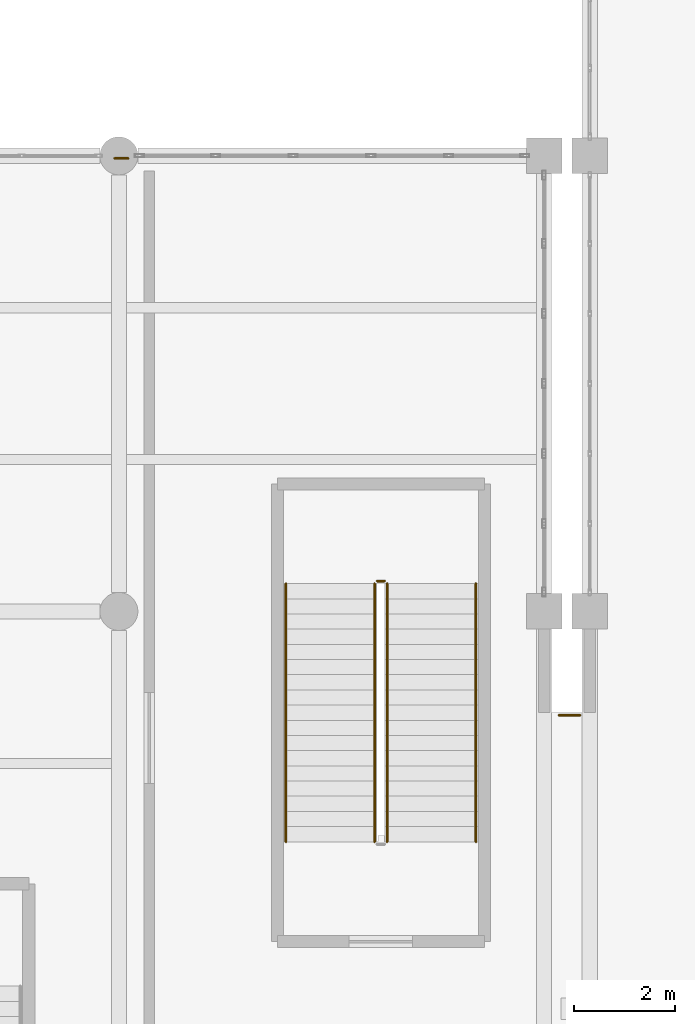
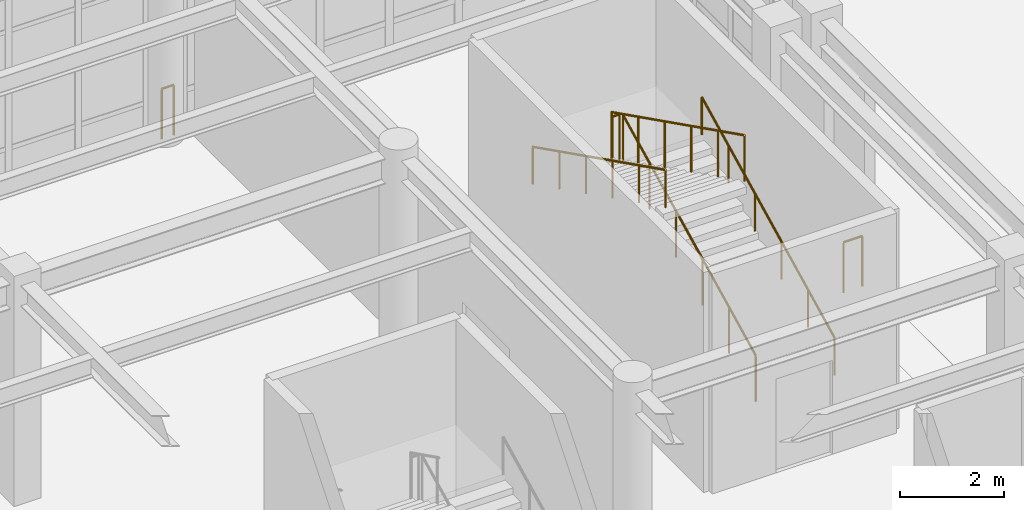
# One storey, part 79 of 80: 7 railings.
"""IFC4 building model written with IfcOpenShell, lengths in metres."""

from ifc_helpers import new_model, si_unit, direction, frame, origin, origin_2d, place, context, subcontext, project, spatial, circle, extrude, material, type_object, element, save


model = new_model("IFC4")

# Units and contexts
model_context = context("Model", 3, precision=1e-05, world=origin(), true_north=direction((0.0, 1.0)))
body_context = subcontext(model_context, "Body", "Model", "MODEL_VIEW")
ifc_project = project(units=[si_unit("LENGTHUNIT", "METRE"), si_unit("AREAUNIT", "SQUARE_METRE"), si_unit("VOLUMEUNIT", "CUBIC_METRE"), si_unit("PLANEANGLEUNIT", "RADIAN"), si_unit("MASSUNIT", "GRAM", prefix="KILO")], contexts=[model_context])

# Site, building, storey
site_placement = place(None, origin())
site = spatial("IfcSite", under=ifc_project, at=site_placement, CompositionType="ELEMENT")
building_placement = place(site_placement, origin())
building = spatial("IfcBuilding", under=site, at=building_placement, Name="Canglan Escarpment Cableway Terminal", CompositionType="ELEMENT")
storey_placement = place(building_placement, frame((0.0, 0.0, 19.199951171875)))
storey = spatial("IfcBuildingStorey", under=building, at=storey_placement, Name="L04", CompositionType="ELEMENT", Elevation=19.199951171875)

# Railings
ifc_material_1 = material(Name="Carved limestone and anodized bronze balustrade", Category="masonry")
railing_type_1 = type_object("IfcRailingType", Name="RL-EXT-BALUSTRADE-1200", PredefinedType="BALUSTRADE", material=ifc_material_1)
railing_1_placement = place(storey_placement, frame((128.215087890625, 114.949951171875, 0.0)))
element("IfcRailing", 1, at=railing_1_placement, inside=storey, type_object=railing_type_1, Name="Classical terrace balustrade guard GD-01 (L04)", PredefinedType="BALUSTRADE", context=body_context, shape_type="SweptSolid", body=[
    extrude(circle(Radius=0.02392578125, at=origin_2d()), frame((0.0, 0.0, 1.17578125), z_axis=(1.0, 0.0, 0.0), x_axis=(0.0, 1.0, 0.0)), (0.0, 0.0, 1.0), 0.27001953125),
    extrude(circle(Radius=0.02099609375, at=origin_2d()), origin(), (0.0, 0.0, 1.0), 1.15185546875),
    extrude(circle(Radius=0.02099609375, at=origin_2d()), frame((0.27001953125, 0.0, 0.0)), (0.0, 0.0, 1.0), 1.15185546875),
])
railing_2_placement = place(storey_placement, frame((136.989990234375, 103.949951171875, 0.0)))
element("IfcRailing", 2, at=railing_2_placement, inside=storey, type_object=railing_type_1, Name="Classical terrace balustrade guard GD-01 (L04)", PredefinedType="BALUSTRADE", context=body_context, shape_type="SweptSolid", body=[
    extrude(circle(Radius=0.02392578125, at=origin_2d()), frame((0.0, 0.0, 1.17578125), z_axis=(1.0, 0.0, 0.0), x_axis=(0.0, 1.0, 0.0)), (0.0, 0.0, 1.0), 0.419921875),
    extrude(circle(Radius=0.02099609375, at=origin_2d()), origin(), (0.0, 0.0, 1.0), 1.15185546875),
    extrude(circle(Radius=0.02099609375, at=origin_2d()), frame((0.419921875, 0.0, 0.0)), (0.0, 0.0, 1.0), 1.15185546875),
])
ifc_material_2 = material(Name="Powder-coated steel stair balustrade", Category="steel")
railing_type_2 = type_object("IfcRailingType", Name="RL-STR-GUARD-1100", PredefinedType="BALUSTRADE", material=ifc_material_2)
railing_3_placement = place(storey_placement, frame((133.60009765625, 101.449951171875, 0.150146484375)))
element("IfcRailing", 3, at=railing_3_placement, inside=storey, type_object=railing_type_2, Name="L04 ST-18 stair guard 1", PredefinedType="BALUSTRADE", context=body_context, shape_type="SweptSolid", body=[
    extrude(circle(Radius=0.02392578125, at=origin_2d()), frame((0.0, 0.0, 1.076171875), z_axis=(0.0, 0.89444431709, 0.44717934168), x_axis=(-1.0, 0.0, 0.0)), (0.0, 0.0, 1.0), 5.701904296875),
    extrude(circle(Radius=0.02099609375, at=origin_2d()), origin(), (0.0, 0.0, 1.0), 1.052001953125),
    extrude(circle(Radius=0.02099609375, at=origin_2d()), frame((0.0, 1.02001953125, 0.510009765625)), (0.0, 0.0, 1.0), 1.052001953125),
    extrude(circle(Radius=0.02099609375, at=origin_2d()), frame((0.0, 2.0400390625, 1.02001953125)), (0.0, 0.0, 1.0), 1.052001953125),
    extrude(circle(Radius=0.02099609375, at=origin_2d()), frame((0.0, 3.06005859375, 1.52978515625)), (0.0, 0.0, 1.0), 1.052001953125),
    extrude(circle(Radius=0.02099609375, at=origin_2d()), frame((0.0, 4.080078125, 2.039794921875)), (0.0, 0.0, 1.0), 1.052001953125),
    extrude(circle(Radius=0.02099609375, at=origin_2d()), frame((0.0, 5.10009765625, 2.5498046875)), (0.0, 0.0, 1.0), 1.052001953125),
])
railing_4_placement = place(storey_placement, frame((133.550048828125, 106.60009765625, 2.699951171875)))
element("IfcRailing", 4, at=railing_4_placement, inside=storey, type_object=railing_type_2, Name="L04 ST-18 stair guard 2", PredefinedType="BALUSTRADE", context=body_context, shape_type="SweptSolid", body=[
    extrude(circle(Radius=0.02392578125, at=origin_2d()), frame((0.0, 0.0, 1.076171875), z_axis=(-1.0, 0.0, 0.0), x_axis=(0.0, -1.0, 0.0)), (0.0, 0.0, 1.0), 0.150146484375),
    extrude(circle(Radius=0.02099609375, at=origin_2d()), origin(), (0.0, 0.0, 1.0), 1.052001953125),
    extrude(circle(Radius=0.02099609375, at=origin_2d()), frame((-0.150146484375, 0.0, 0.0)), (0.0, 0.0, 1.0), 1.052001953125),
])
railing_5_placement = place(storey_placement, frame((133.35009765625, 106.550048828125, 2.85009765625)))
element("IfcRailing", 5, at=railing_5_placement, inside=storey, type_object=railing_type_2, Name="L04 ST-18 stair guard 3", PredefinedType="BALUSTRADE", context=body_context, shape_type="SweptSolid", body=[
    extrude(circle(Radius=0.02392578125, at=origin_2d()), frame((0.0, 0.0, 1.076171875), z_axis=(0.0, -0.894427191, 0.4472135955), x_axis=(1.0, 0.0, 0.0)), (0.0, 0.0, 1.0), 5.7021484375),
    extrude(circle(Radius=0.02099609375, at=origin_2d()), origin(), (0.0, 0.0, 1.0), 1.052001953125),
    extrude(circle(Radius=0.02099609375, at=origin_2d()), frame((0.0, -1.02001953125, 0.510009765625)), (0.0, 0.0, 1.0), 1.052001953125),
    extrude(circle(Radius=0.02099609375, at=origin_2d()), frame((0.0, -2.0400390625, 1.02001953125)), (0.0, 0.0, 1.0), 1.052001953125),
    extrude(circle(Radius=0.02099609375, at=origin_2d()), frame((0.0, -3.06005859375, 1.530029296875)), (0.0, 0.0, 1.0), 1.052001953125),
    extrude(circle(Radius=0.02099609375, at=origin_2d()), frame((0.0, -4.080078125, 2.0400390625)), (0.0, 0.0, 1.0), 1.052001953125),
    extrude(circle(Radius=0.02099609375, at=origin_2d()), frame((0.0, -5.10009765625, 2.550048828125)), (0.0, 0.0, 1.0), 1.052001953125),
])
ifc_material_3 = material(Name="Brushed stainless steel 304 handrail", Category="steel")
railing_type_3 = type_object("IfcRailingType", Name="RL-STR-HR-900", PredefinedType="HANDRAIL", material=ifc_material_3)
railing_6_placement = place(storey_placement, frame((135.35009765625, 101.449951171875, 0.150146484375)))
element("IfcRailing", 6, at=railing_6_placement, inside=storey, type_object=railing_type_3, Name="L04 ST-18 stair handrail 1", PredefinedType="HANDRAIL", context=body_context, shape_type="SweptSolid", body=[
    extrude(circle(Radius=0.02392578125, at=origin_2d()), frame((0.0, 0.0, 0.8759765625), z_axis=(0.0, 0.89444431709, 0.44717934168), x_axis=(-1.0, 0.0, 0.0)), (0.0, 0.0, 1.0), 5.701904296875),
    extrude(circle(Radius=0.02099609375, at=origin_2d()), origin(), (0.0, 0.0, 1.0), 0.851806640625),
    extrude(circle(Radius=0.02099609375, at=origin_2d()), frame((0.0, 1.02001953125, 0.510009765625)), (0.0, 0.0, 1.0), 0.851806640625),
    extrude(circle(Radius=0.02099609375, at=origin_2d()), frame((0.0, 2.0400390625, 1.02001953125)), (0.0, 0.0, 1.0), 0.851806640625),
    extrude(circle(Radius=0.02099609375, at=origin_2d()), frame((0.0, 3.06005859375, 1.52978515625)), (0.0, 0.0, 1.0), 0.851806640625),
    extrude(circle(Radius=0.02099609375, at=origin_2d()), frame((0.0, 4.080078125, 2.039794921875)), (0.0, 0.0, 1.0), 0.851806640625),
    extrude(circle(Radius=0.02099609375, at=origin_2d()), frame((0.0, 5.10009765625, 2.5498046875)), (0.0, 0.0, 1.0), 0.851806640625),
])
railing_7_placement = place(storey_placement, frame((131.60009765625, 106.550048828125, 2.85009765625)))
element("IfcRailing", 7, at=railing_7_placement, inside=storey, type_object=railing_type_3, Name="L04 ST-18 stair handrail 2", PredefinedType="HANDRAIL", context=body_context, shape_type="SweptSolid", body=[
    extrude(circle(Radius=0.02392578125, at=origin_2d()), frame((0.0, 0.0, 0.8759765625), z_axis=(0.0, -0.894427191, 0.4472135955), x_axis=(1.0, 0.0, 0.0)), (0.0, 0.0, 1.0), 5.7021484375),
    extrude(circle(Radius=0.02099609375, at=origin_2d()), origin(), (0.0, 0.0, 1.0), 0.851806640625),
    extrude(circle(Radius=0.02099609375, at=origin_2d()), frame((0.0, -1.02001953125, 0.510009765625)), (0.0, 0.0, 1.0), 0.851806640625),
    extrude(circle(Radius=0.02099609375, at=origin_2d()), frame((0.0, -2.0400390625, 1.02001953125)), (0.0, 0.0, 1.0), 0.851806640625),
    extrude(circle(Radius=0.02099609375, at=origin_2d()), frame((0.0, -3.06005859375, 1.530029296875)), (0.0, 0.0, 1.0), 0.851806640625),
    extrude(circle(Radius=0.02099609375, at=origin_2d()), frame((0.0, -4.080078125, 2.0400390625)), (0.0, 0.0, 1.0), 0.851806640625),
    extrude(circle(Radius=0.02099609375, at=origin_2d()), frame((0.0, -5.10009765625, 2.550048828125)), (0.0, 0.0, 1.0), 0.851806640625),
])

save(model, "model.ifc")
